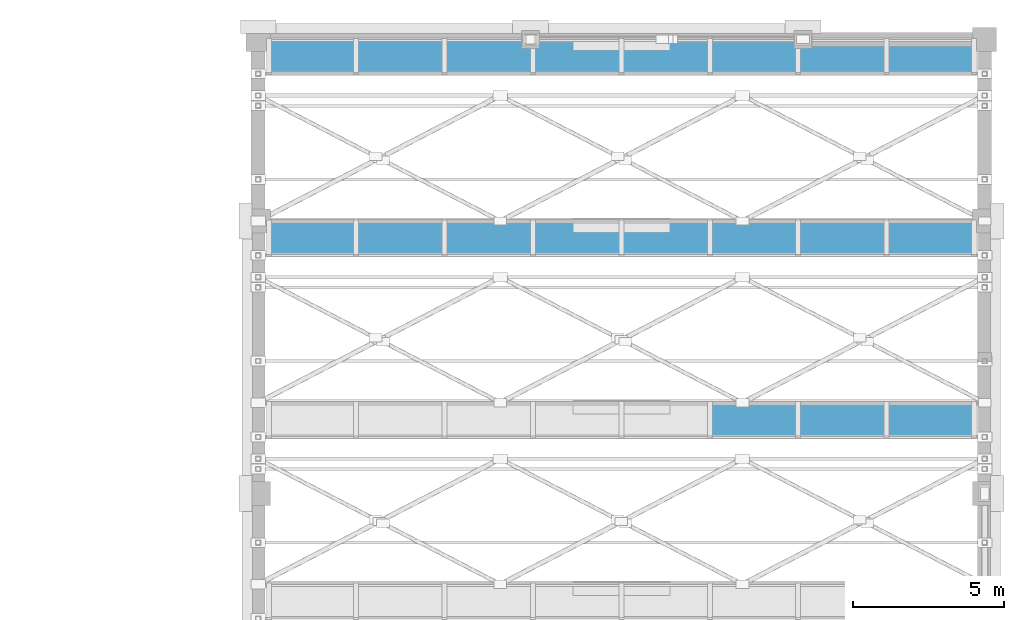
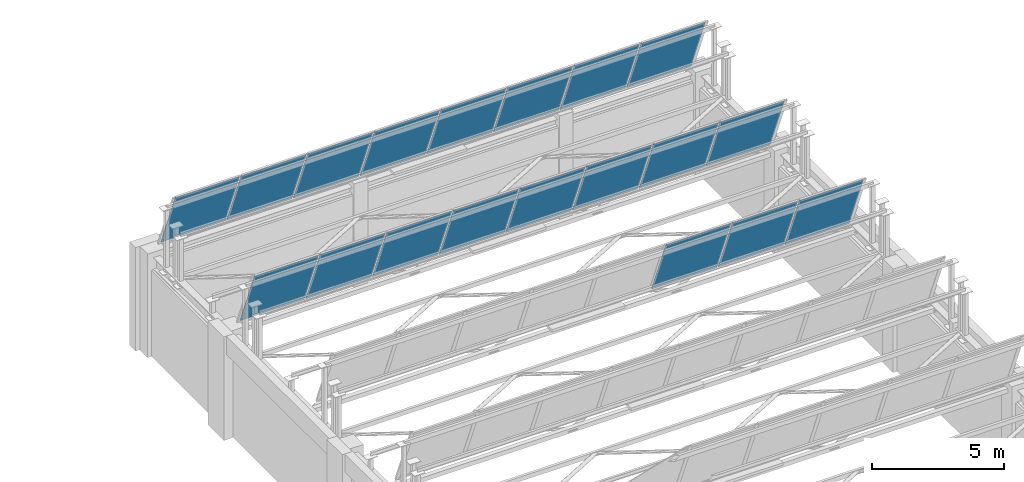
# One storey, part 74 of 98: 19 plates, 3 elements without a shape of their own.
"""IFC4 building model written with IfcOpenShell, lengths in metres."""

from ifc_helpers import new_model, si_unit, direction, frame, origin, origin_2d, place, context, subcontext, project, spatial, rectangle, extrude, material, layer, layer_set, type_object, element, aggregate, save


model = new_model("IFC4")

# Units and contexts
model_context = context("Model", 3, precision=1e-05, world=origin(), true_north=direction((0.0, 1.0)))
body_context = subcontext(model_context, "Body", "Model", "MODEL_VIEW")
ifc_project = project(units=[si_unit("LENGTHUNIT", "METRE"), si_unit("AREAUNIT", "SQUARE_METRE"), si_unit("VOLUMEUNIT", "CUBIC_METRE"), si_unit("PLANEANGLEUNIT", "RADIAN"), si_unit("MASSUNIT", "GRAM", prefix="KILO")], contexts=[model_context])

# Site, building, storey
site_placement = place(None, origin())
site = spatial("IfcSite", under=ifc_project, at=site_placement, CompositionType="ELEMENT")
building_placement = place(site_placement, origin())
building = spatial("IfcBuilding", under=site, at=building_placement, Name="Lykobir Media Centre", CompositionType="ELEMENT")
storey_placement = place(building_placement, frame((0.0, 0.0, 10.199951171875)))
storey = spatial("IfcBuildingStorey", under=building, at=storey_placement, Name="L02", CompositionType="ELEMENT", Elevation=10.199951171875)

# Curtain wall, plates
ifc_material_1 = material(Name="Anodized Aluminium AW-6060", Category="aluminium")
curtain_wall_type = type_object("IfcCurtainWallType", Name="CW-NL-V2", PredefinedType="NOTDEFINED", material=ifc_material_1)
curtain_wall_1_placement = place(storey_placement, origin())
curtain_wall_1 = element("IfcCurtainWall", 1, at=curtain_wall_1_placement, inside=storey, type_object=curtain_wall_type, Name="Curtain wall CW-NL-V2-05", PredefinedType="NOTDEFINED")
ifc_material_2 = material(Name="Low-E Laminated Triple Glazing", Category="glass")
ifc_layer = layer(ifc_material_2, 0.031982421875, Name="Low-E Laminated Triple Glazing")
ifc_layer_set = layer_set([ifc_layer], Name="Low-E Laminated Triple Glazing")
plate_type = type_object("IfcPlateType", Name="CWP-GLZ-32", PredefinedType="CURTAIN_PANEL", material=ifc_layer_set)
plate_1_placement = place(storey_placement, frame((160.3798828125, 101.973876953125, 4.864990234375), z_axis=(0.0, -0.374606593416, 0.927183854567), x_axis=(1.0, 0.0, 0.0)))
plate_1 = element("IfcPlate", 2, at=plate_1_placement, type_object=plate_type, Name="CW-NL-V2-05 panel 6.1", PredefinedType="CURTAIN_PANEL", context=body_context, shape_type="SweptSolid", body=[
    extrude(rectangle(XDim=2.85009765625, YDim=0.031982421875, at=origin_2d()), origin(), (0.0, 0.0, 1.0), 2.889404296875),
])
plate_2_placement = place(storey_placement, frame((163.300048828125, 101.973876953125, 4.864990234375), z_axis=(0.0, -0.374606593416, 0.927183854567), x_axis=(1.0, 0.0, 0.0)))
plate_2 = element("IfcPlate", 3, at=plate_2_placement, type_object=plate_type, Name="CW-NL-V2-05 panel 7.1", PredefinedType="CURTAIN_PANEL", context=body_context, shape_type="SweptSolid", body=[
    extrude(rectangle(XDim=2.85009765625, YDim=0.031982421875, at=origin_2d()), origin(), (0.0, 0.0, 1.0), 2.889404296875),
])
plate_3_placement = place(storey_placement, frame((166.202392578125, 101.973876953125, 4.864990234375), z_axis=(0.0, -0.374606593416, 0.927183854567), x_axis=(1.0, 0.0, 0.0)))
plate_3 = element("IfcPlate", 4, at=plate_3_placement, type_object=plate_type, Name="CW-NL-V2-05 panel 8.1", PredefinedType="CURTAIN_PANEL", context=body_context, shape_type="SweptSolid", body=[
    extrude(rectangle(XDim=2.81494140625, YDim=0.031982421875, at=origin_2d()), origin(), (0.0, 0.0, 1.0), 2.889404296875),
])
aggregate(curtain_wall_1, [plate_1, plate_2, plate_3])

curtain_wall_2_placement = place(storey_placement, origin())
curtain_wall_2 = element("IfcCurtainWall", 5, at=curtain_wall_2_placement, inside=storey, type_object=curtain_wall_type, Name="Curtain wall CW-NL-V2-06", PredefinedType="NOTDEFINED")
plate_4_placement = place(storey_placement, frame((145.797607421875, 107.973876953125, 4.864990234375), z_axis=(0.0, -0.374606593416, 0.927183854567), x_axis=(1.0, 0.0, 0.0)))
plate_4 = element("IfcPlate", 6, at=plate_4_placement, type_object=plate_type, Name="CW-NL-V2-06 panel 1.1", PredefinedType="CURTAIN_PANEL", context=body_context, shape_type="SweptSolid", body=[
    extrude(rectangle(XDim=2.81494140625, YDim=0.031982421875, at=origin_2d()), origin(), (0.0, 0.0, 1.0), 2.889404296875),
])
plate_5_placement = place(storey_placement, frame((148.699951171875, 107.973876953125, 4.864990234375), z_axis=(0.0, -0.374606593416, 0.927183854567), x_axis=(1.0, 0.0, 0.0)))
plate_5 = element("IfcPlate", 7, at=plate_5_placement, type_object=plate_type, Name="CW-NL-V2-06 panel 2.1", PredefinedType="CURTAIN_PANEL", context=body_context, shape_type="SweptSolid", body=[
    extrude(rectangle(XDim=2.85009765625, YDim=0.031982421875, at=origin_2d()), origin(), (0.0, 0.0, 1.0), 2.889404296875),
])
plate_6_placement = place(storey_placement, frame((151.6201171875, 107.973876953125, 4.864990234375), z_axis=(0.0, -0.374606593416, 0.927183854567), x_axis=(1.0, 0.0, 0.0)))
plate_6 = element("IfcPlate", 8, at=plate_6_placement, type_object=plate_type, Name="CW-NL-V2-06 panel 3.1", PredefinedType="CURTAIN_PANEL", context=body_context, shape_type="SweptSolid", body=[
    extrude(rectangle(XDim=2.85009765625, YDim=0.031982421875, at=origin_2d()), origin(), (0.0, 0.0, 1.0), 2.889404296875),
])
plate_7_placement = place(storey_placement, frame((154.5400390625, 107.973876953125, 4.864990234375), z_axis=(0.0, -0.374606593416, 0.927183854567), x_axis=(1.0, 0.0, 0.0)))
plate_7 = element("IfcPlate", 9, at=plate_7_placement, type_object=plate_type, Name="CW-NL-V2-06 panel 4.1", PredefinedType="CURTAIN_PANEL", context=body_context, shape_type="SweptSolid", body=[
    extrude(rectangle(XDim=2.85009765625, YDim=0.031982421875, at=origin_2d()), origin(), (0.0, 0.0, 1.0), 2.889404296875),
])
plate_8_placement = place(storey_placement, frame((157.4599609375, 107.973876953125, 4.864990234375), z_axis=(0.0, -0.374606593416, 0.927183854567), x_axis=(1.0, 0.0, 0.0)))
plate_8 = element("IfcPlate", 10, at=plate_8_placement, type_object=plate_type, Name="CW-NL-V2-06 panel 5.1", PredefinedType="CURTAIN_PANEL", context=body_context, shape_type="SweptSolid", body=[
    extrude(rectangle(XDim=2.85009765625, YDim=0.031982421875, at=origin_2d()), origin(), (0.0, 0.0, 1.0), 2.889404296875),
])
plate_9_placement = place(storey_placement, frame((160.3798828125, 107.973876953125, 4.864990234375), z_axis=(0.0, -0.374606593416, 0.927183854567), x_axis=(1.0, 0.0, 0.0)))
plate_9 = element("IfcPlate", 11, at=plate_9_placement, type_object=plate_type, Name="CW-NL-V2-06 panel 6.1", PredefinedType="CURTAIN_PANEL", context=body_context, shape_type="SweptSolid", body=[
    extrude(rectangle(XDim=2.85009765625, YDim=0.031982421875, at=origin_2d()), origin(), (0.0, 0.0, 1.0), 2.889404296875),
])
plate_10_placement = place(storey_placement, frame((163.300048828125, 107.973876953125, 4.864990234375), z_axis=(0.0, -0.374606593416, 0.927183854567), x_axis=(1.0, 0.0, 0.0)))
plate_10 = element("IfcPlate", 12, at=plate_10_placement, type_object=plate_type, Name="CW-NL-V2-06 panel 7.1", PredefinedType="CURTAIN_PANEL", context=body_context, shape_type="SweptSolid", body=[
    extrude(rectangle(XDim=2.85009765625, YDim=0.031982421875, at=origin_2d()), origin(), (0.0, 0.0, 1.0), 2.889404296875),
])
plate_11_placement = place(storey_placement, frame((166.202392578125, 107.973876953125, 4.864990234375), z_axis=(0.0, -0.374606593416, 0.927183854567), x_axis=(1.0, 0.0, 0.0)))
plate_11 = element("IfcPlate", 13, at=plate_11_placement, type_object=plate_type, Name="CW-NL-V2-06 panel 8.1", PredefinedType="CURTAIN_PANEL", context=body_context, shape_type="SweptSolid", body=[
    extrude(rectangle(XDim=2.81494140625, YDim=0.031982421875, at=origin_2d()), origin(), (0.0, 0.0, 1.0), 2.889404296875),
])
aggregate(curtain_wall_2, [plate_4, plate_5, plate_6, plate_7, plate_8, plate_9, plate_10, plate_11])

curtain_wall_3_placement = place(storey_placement, origin())
curtain_wall_3 = element("IfcCurtainWall", 14, at=curtain_wall_3_placement, inside=storey, type_object=curtain_wall_type, Name="Curtain wall CW-NL-V2-07", PredefinedType="NOTDEFINED")
plate_12_placement = place(storey_placement, frame((145.797607421875, 113.973876953125, 4.864990234375), z_axis=(0.0, -0.374606593416, 0.927183854567), x_axis=(1.0, 0.0, 0.0)))
plate_12 = element("IfcPlate", 15, at=plate_12_placement, type_object=plate_type, Name="CW-NL-V2-07 panel 1.1", PredefinedType="CURTAIN_PANEL", context=body_context, shape_type="SweptSolid", body=[
    extrude(rectangle(XDim=2.81494140625, YDim=0.031982421875, at=origin_2d()), origin(), (0.0, 0.0, 1.0), 2.889404296875),
])
plate_13_placement = place(storey_placement, frame((148.699951171875, 113.973876953125, 4.864990234375), z_axis=(0.0, -0.374606593416, 0.927183854567), x_axis=(1.0, 0.0, 0.0)))
plate_13 = element("IfcPlate", 16, at=plate_13_placement, type_object=plate_type, Name="CW-NL-V2-07 panel 2.1", PredefinedType="CURTAIN_PANEL", context=body_context, shape_type="SweptSolid", body=[
    extrude(rectangle(XDim=2.85009765625, YDim=0.031982421875, at=origin_2d()), origin(), (0.0, 0.0, 1.0), 2.889404296875),
])
plate_14_placement = place(storey_placement, frame((151.6201171875, 113.973876953125, 4.864990234375), z_axis=(0.0, -0.374606593416, 0.927183854567), x_axis=(1.0, 0.0, 0.0)))
plate_14 = element("IfcPlate", 17, at=plate_14_placement, type_object=plate_type, Name="CW-NL-V2-07 panel 3.1", PredefinedType="CURTAIN_PANEL", context=body_context, shape_type="SweptSolid", body=[
    extrude(rectangle(XDim=2.85009765625, YDim=0.031982421875, at=origin_2d()), origin(), (0.0, 0.0, 1.0), 2.889404296875),
])
plate_15_placement = place(storey_placement, frame((154.5400390625, 113.973876953125, 4.864990234375), z_axis=(0.0, -0.374606593416, 0.927183854567), x_axis=(1.0, 0.0, 0.0)))
plate_15 = element("IfcPlate", 18, at=plate_15_placement, type_object=plate_type, Name="CW-NL-V2-07 panel 4.1", PredefinedType="CURTAIN_PANEL", context=body_context, shape_type="SweptSolid", body=[
    extrude(rectangle(XDim=2.85009765625, YDim=0.031982421875, at=origin_2d()), origin(), (0.0, 0.0, 1.0), 2.889404296875),
])
plate_16_placement = place(storey_placement, frame((157.4599609375, 113.973876953125, 4.864990234375), z_axis=(0.0, -0.374606593416, 0.927183854567), x_axis=(1.0, 0.0, 0.0)))
plate_16 = element("IfcPlate", 19, at=plate_16_placement, type_object=plate_type, Name="CW-NL-V2-07 panel 5.1", PredefinedType="CURTAIN_PANEL", context=body_context, shape_type="SweptSolid", body=[
    extrude(rectangle(XDim=2.85009765625, YDim=0.031982421875, at=origin_2d()), origin(), (0.0, 0.0, 1.0), 2.889404296875),
])
plate_17_placement = place(storey_placement, frame((160.3798828125, 113.973876953125, 4.864990234375), z_axis=(0.0, -0.374606593416, 0.927183854567), x_axis=(1.0, 0.0, 0.0)))
plate_17 = element("IfcPlate", 20, at=plate_17_placement, type_object=plate_type, Name="CW-NL-V2-07 panel 6.1", PredefinedType="CURTAIN_PANEL", context=body_context, shape_type="SweptSolid", body=[
    extrude(rectangle(XDim=2.85009765625, YDim=0.031982421875, at=origin_2d()), origin(), (0.0, 0.0, 1.0), 2.889404296875),
])
plate_18_placement = place(storey_placement, frame((163.300048828125, 113.973876953125, 4.864990234375), z_axis=(0.0, -0.374606593416, 0.927183854567), x_axis=(1.0, 0.0, 0.0)))
plate_18 = element("IfcPlate", 21, at=plate_18_placement, type_object=plate_type, Name="CW-NL-V2-07 panel 7.1", PredefinedType="CURTAIN_PANEL", context=body_context, shape_type="SweptSolid", body=[
    extrude(rectangle(XDim=2.85009765625, YDim=0.031982421875, at=origin_2d()), origin(), (0.0, 0.0, 1.0), 2.889404296875),
])
plate_19_placement = place(storey_placement, frame((166.202392578125, 113.973876953125, 4.864990234375), z_axis=(0.0, -0.374606593416, 0.927183854567), x_axis=(1.0, 0.0, 0.0)))
plate_19 = element("IfcPlate", 22, at=plate_19_placement, type_object=plate_type, Name="CW-NL-V2-07 panel 8.1", PredefinedType="CURTAIN_PANEL", context=body_context, shape_type="SweptSolid", body=[
    extrude(rectangle(XDim=2.81494140625, YDim=0.031982421875, at=origin_2d()), origin(), (0.0, 0.0, 1.0), 2.889404296875),
])
aggregate(curtain_wall_3, [plate_12, plate_13, plate_14, plate_15, plate_16, plate_17, plate_18, plate_19])

save(model, "model.ifc")
